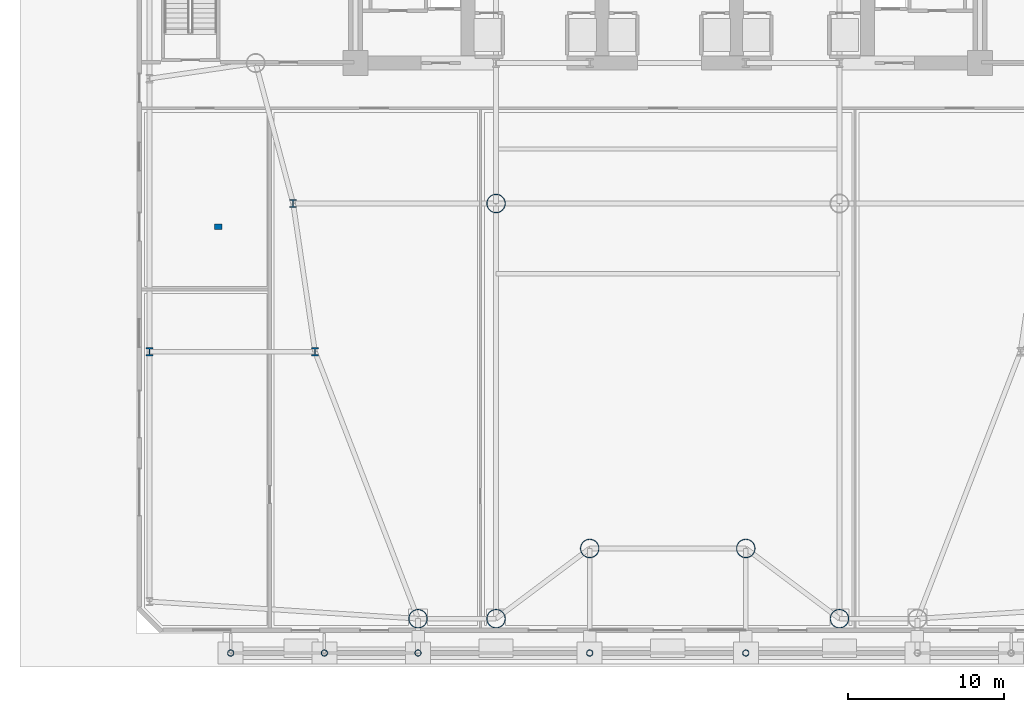
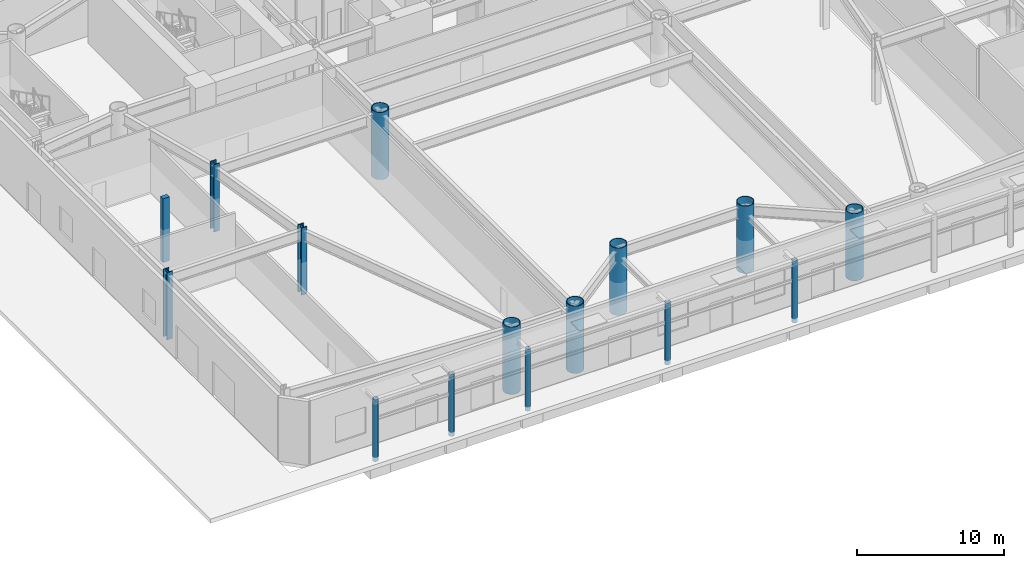
# One storey, part 2 of 20: 15 columns.
"""IFC4 building model written with IfcOpenShell, lengths in metres."""

from ifc_helpers import new_model, si_unit, direction, frame, origin, origin_2d, place, context, subcontext, project, spatial, rectangle, hollow_circle, i_section, extrude, source, transform, mapped, material, material_profile, profile_set, type_object, element, save


model = new_model("IFC4")

# Units and contexts
model_context = context("Model", 3, precision=1e-05, world=origin(), true_north=direction((0.0, 1.0)))
body_context = subcontext(model_context, "Body", "Model", "MODEL_VIEW")
ifc_project = project(units=[si_unit("LENGTHUNIT", "METRE"), si_unit("AREAUNIT", "SQUARE_METRE"), si_unit("VOLUMEUNIT", "CUBIC_METRE"), si_unit("PLANEANGLEUNIT", "RADIAN"), si_unit("MASSUNIT", "GRAM", prefix="KILO")], contexts=[model_context])

# Site, building, storey
site_placement = place(None, origin())
site = spatial("IfcSite", under=ifc_project, at=site_placement, CompositionType="ELEMENT")
building_placement = place(site_placement, origin())
building = spatial("IfcBuilding", under=site, at=building_placement, Name="Vaeldorn Concourse Tower", CompositionType="ELEMENT")
storey_placement = place(building_placement, origin())
storey = spatial("IfcBuildingStorey", under=building, at=storey_placement, Name="L00", CompositionType="ELEMENT", Elevation=0.0)

# Columns
ifc_material_1 = material(Name="Steel S460", Category="steel")
ifc_material_profile_1 = material_profile(ifc_material_1, hollow_circle(Radius=0.609619140625, WallThickness=0.050048828125, at=origin_2d()), Name="CHS 1219x50")
ifc_profile_set_1 = profile_set([ifc_material_profile_1], Name="Steel S460")
column_type_1 = type_object("IfcColumnType", Name="COL-CHS1219", PredefinedType="COLUMN", material=ifc_profile_set_1)
shared_shape_1 = source(origin(), body_context, "Body", "SweptSolid", [
    extrude(hollow_circle(Radius=0.609619140625, WallThickness=0.050048828125, at=origin_2d()), origin(), (0.0, 0.0, 1.0), 5.60009765625),
])
for number, where, z_axis, x_axis, name in (
    (1, (18.0, 0.89990234375, 0.0), (0.0, 0.0, 1.0), (1.0, 0.0, 0.0), "Column C-SM1 L00"),
    (2, (23.0, 0.89990234375, 0.0), (0.0, 0.0, 1.0), (1.0, 0.0, 0.0), "Column C-SM2 L00"),
    (3, (29.0, 5.39990234375, 0.0), (0.0, 0.0, 1.0), (1.0, 0.0, 0.0), "Column C-SM3 L00"),
    (4, (39.0, 5.39990234375, 0.0), (0.0, 0.0, 1.0), (1.0, 0.0, 0.0), "Column C-SM4 L00"),
    (5, (45.0, 0.89990234375, 0.0), (0.0, 0.0, 1.0), (1.0, 0.0, 0.0), "Column C-SM5 L00"),
    (6, (23.0, 27.5, 0.0), (0.0, 0.0, 1.0), (1.0, 0.0, 0.0), "Column C-TW1 L00"),
):
    element("IfcColumn", number, at=place(storey_placement, frame(where, z_axis=z_axis, x_axis=x_axis)), inside=storey, type_object=column_type_1, Name=name, PredefinedType="COLUMN", context=body_context, shape_type="MappedRepresentation", body=[
        mapped(shared_shape_1, transform((0.0, 0.0, 0.0), scale=1.0)),
    ])
ifc_material_profile_2 = material_profile(ifc_material_1, i_section(OverallWidth=0.44189453125, OverallDepth=0.531005859375, WebThickness=0.06494140625, FlangeThickness=0.075927734375, FilletRadius=0.014892578125, at=origin_2d()), Name="HD 400x900")
ifc_profile_set_2 = profile_set([ifc_material_profile_2], Name="Steel S460")
column_type_2 = type_object("IfcColumnType", Name="COL-HD900F", PredefinedType="COLUMN", material=ifc_profile_set_2)
shared_shape_2 = source(origin(), body_context, "Body", "SweptSolid", [
    extrude(i_section(OverallWidth=0.44189453125, OverallDepth=0.531005859375, WebThickness=0.06494140625, FlangeThickness=0.075927734375, FilletRadius=0.014892578125, at=origin_2d()), origin(), (0.0, 0.0, 1.0), 5.60009765625),
])
for number, where, z_axis, x_axis, name in (
    (7, (0.800048828125, 18.0, 0.0), (0.0, 0.0, 1.0), (1.0, 0.0, 0.0), "Column C-PW2 L00"),
    (8, (10.0, 27.5, 0.0), (0.0, 0.0, 1.0), (1.0, 0.0, 0.0), "Column C-FLW1 L00"),
    (9, (11.39990234375, 18.0, 0.0), (0.0, 0.0, 1.0), (1.0, 0.0, 0.0), "Column C-FLW2 L00"),
):
    element("IfcColumn", number, at=place(storey_placement, frame(where, z_axis=z_axis, x_axis=x_axis)), inside=storey, type_object=column_type_2, Name=name, PredefinedType="COLUMN", context=body_context, shape_type="MappedRepresentation", body=[
        mapped(shared_shape_2, transform((0.0, 0.0, 0.0), scale=1.0)),
    ])
ifc_material_2 = material(Name="Steel S355", Category="steel")
ifc_material_profile_3 = material_profile(ifc_material_2, hollow_circle(Radius=0.203125, WallThickness=0.02001953125, at=origin_2d()), Name="CHS 406.4x20")
ifc_profile_set_3 = profile_set([ifc_material_profile_3], Name="Steel S355")
column_type_3 = type_object("IfcColumnType", Name="COL-CHS406", PredefinedType="COLUMN", material=ifc_profile_set_3)
shared_shape_3 = source(origin(), body_context, "Body", "SweptSolid", [
    extrude(hollow_circle(Radius=0.203125, WallThickness=0.02001953125, at=origin_2d()), origin(), (0.0, 0.0, 1.0), 5.150146484375),
])
for number, where, z_axis, x_axis, name in (
    (10, (6.0, -1.300048828125, -0.35009765625), (0.0, 0.0, 1.0), (1.0, 0.0, 0.0), "Forecourt Canopy Column 1"),
    (11, (18.0, -1.300048828125, -0.35009765625), (0.0, 0.0, 1.0), (1.0, 0.0, 0.0), "Forecourt Canopy Column 2"),
    (12, (29.0, -1.300048828125, -0.35009765625), (0.0, 0.0, 1.0), (1.0, 0.0, 0.0), "Forecourt Canopy Column 3"),
    (13, (39.0, -1.300048828125, -0.35009765625), (0.0, 0.0, 1.0), (1.0, 0.0, 0.0), "Forecourt Canopy Column 4"),
    (14, (12.0, -1.300048828125, -0.35009765625), (0.0, 0.0, 1.0), (1.0, 0.0, 0.0), "Forecourt Canopy Column 1B"),
):
    element("IfcColumn", number, at=place(storey_placement, frame(where, z_axis=z_axis, x_axis=x_axis)), inside=storey, type_object=column_type_3, Name=name, PredefinedType="COLUMN", context=body_context, shape_type="MappedRepresentation", body=[
        mapped(shared_shape_3, transform((0.0, 0.0, 0.0), scale=1.0)),
    ])
ifc_material_3 = material(Name="Concrete C50/60", Category="concrete")
ifc_material_profile_4 = material_profile(ifc_material_3, rectangle(XDim=0.5, YDim=0.35009765625, at=origin_2d()), Name="RC 500x350")
ifc_profile_set_4 = profile_set([ifc_material_profile_4], Name="Concrete C50/60")
column_type_4 = type_object("IfcColumnType", Name="PIL-RC500x350", PredefinedType="PILASTER", material=ifc_profile_set_4)
shared_shape_4 = source(origin(), body_context, "Body", "SweptSolid", [
    extrude(rectangle(XDim=0.5, YDim=0.35009765625, at=origin_2d()), origin(), (0.0, 0.0, 1.0), 5.320068359375),
])
column_placement = place(storey_placement, frame((5.199951171875, 26.0, 0.0), z_axis=(0.0, 0.0, 1.0), x_axis=(1.0, 0.0, 0.0)))
element("IfcColumn", 15, at=column_placement, inside=storey, type_object=column_type_4, Name="Concourse Structural Pilaster L00-W", PredefinedType="PILASTER", context=body_context, shape_type="MappedRepresentation", body=[
    mapped(shared_shape_4, transform((0.0, 0.0, 0.0), scale=1.0)),
])

save(model, "model.ifc")
